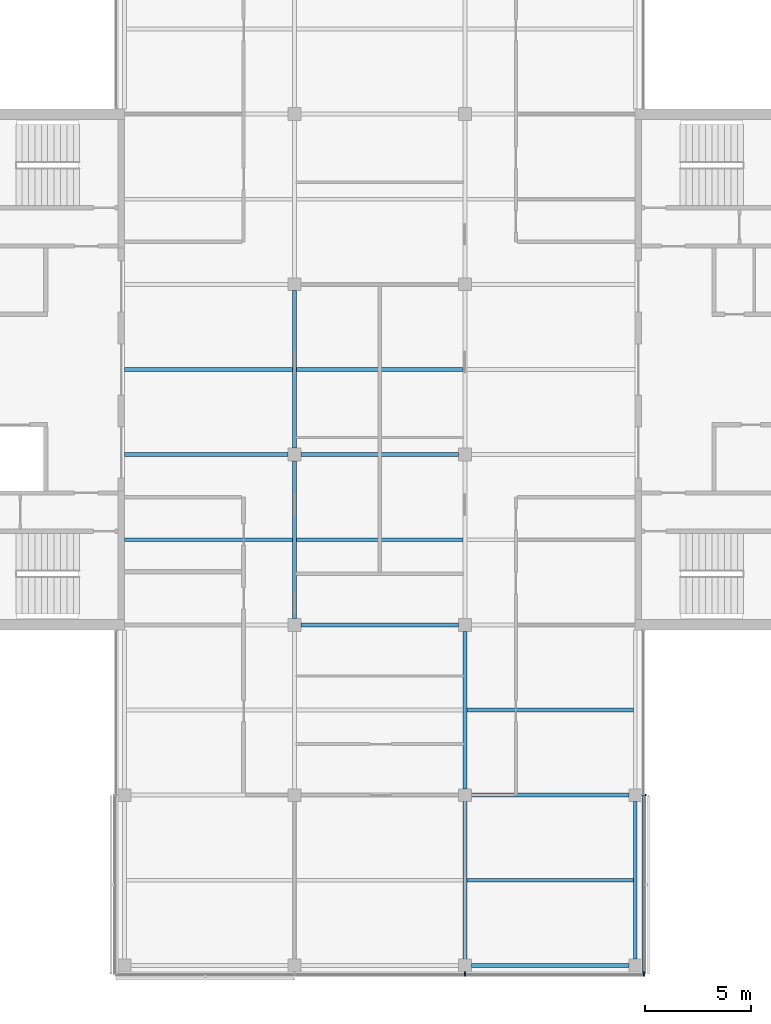
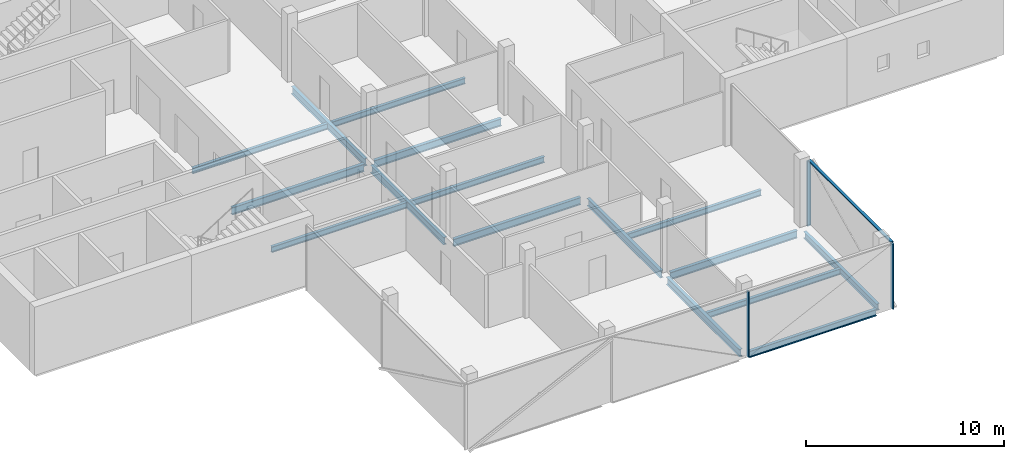
# One storey, part 3 of 16: 16 beams, 4 members, 2 elements without a shape of their own.
"""IFC4 building model written with IfcOpenShell, lengths in metres."""

from ifc_helpers import new_model, si_unit, direction, frame, origin, origin_2d, place, context, subcontext, project, spatial, rectangle, i_section, extrude, material, material_profile, profile_set, type_object, element, aggregate, save


model = new_model("IFC4")

# Units and contexts
model_context = context("Model", 3, precision=1e-05, world=origin(), true_north=direction((0.0, 1.0)))
body_context = subcontext(model_context, "Body", "Model", "MODEL_VIEW")
ifc_project = project(units=[si_unit("LENGTHUNIT", "METRE"), si_unit("AREAUNIT", "SQUARE_METRE"), si_unit("VOLUMEUNIT", "CUBIC_METRE"), si_unit("PLANEANGLEUNIT", "RADIAN"), si_unit("MASSUNIT", "GRAM", prefix="KILO")], contexts=[model_context])

# Site, building, storey
site_placement = place(None, origin())
site = spatial("IfcSite", under=ifc_project, at=site_placement, CompositionType="ELEMENT")
building_placement = place(site_placement, origin())
building = spatial("IfcBuilding", under=site, at=building_placement, Name="Crosswind Convention Tower", CompositionType="ELEMENT")
storey_placement = place(building_placement, frame((0.0, 0.0, 299.699951171875)))
storey = spatial("IfcBuildingStorey", under=building, at=storey_placement, Name="L65", CompositionType="ELEMENT", Elevation=299.699951171875)

# Beams
ifc_material_1 = material(Name="Steel S355", Category="steel")
ifc_material_profile_1 = material_profile(ifc_material_1, i_section(OverallWidth=0.177734375, OverallDepth=0.406494140625, WebThickness=0.0078125, FlangeThickness=0.0126953125, FilletRadius=0.01025390625, at=origin_2d()), Name="UB 406x178x60")
ifc_profile_set_1 = profile_set([ifc_material_profile_1], Name="Steel S355")
beam_type_1 = type_object("IfcBeamType", Name="Edge beam UB 406x178x60", PredefinedType="SPANDREL", material=ifc_profile_set_1)
for number, where, z_axis, x_axis, name in (
    (1, (129.300048828125, 72.0, -0.503173828125), (1.0, 0.0, 0.0), (0.0, 1.0, 0.0), "B15 L65 edge beam 9"),
    (2, (137.0, 72.300048828125, -0.503173828125), (0.0, 1.0, 0.0), (-1.0, 0.0, 0.0), "B15 L65 edge beam 11"),
):
    element("IfcBeam", number, at=place(storey_placement, frame(where, z_axis=z_axis, x_axis=x_axis)), inside=storey, type_object=beam_type_1, Name=name, PredefinedType="SPANDREL", context=body_context, shape_type="SweptSolid", body=[
        extrude(i_section(OverallWidth=0.177734375, OverallDepth=0.406494140625, WebThickness=0.0078125, FlangeThickness=0.0126953125, FilletRadius=0.01025390625, at=origin_2d()), origin(), (0.0, 0.0, 1.0), 7.39990234375),
    ])
ifc_material_profile_2 = material_profile(ifc_material_1, i_section(OverallWidth=0.18994140625, OverallDepth=0.45361328125, WebThickness=0.008544921875, FlangeThickness=0.0126953125, FilletRadius=0.01025390625, at=origin_2d()), Name="UB 457x191x67")
ifc_profile_set_2 = profile_set([ifc_material_profile_2], Name="Steel S355")
beam_type_2 = type_object("IfcBeamType", Name="Girder UB 457x191x67", PredefinedType="BEAM", material=ifc_profile_set_2)
for number, where, z_axis, x_axis, name in (
    (3, (121.0, 88.300048828125, -0.52685546875), (0.0, 1.0, 0.0), (-1.0, 0.0, 0.0), "B1 L65 girder 5"),
    (4, (121.0, 96.300048828125, -0.52685546875), (0.0, 1.0, 0.0), (-1.0, 0.0, 0.0), "B1 L65 girder 6"),
    (5, (121.300048828125, 88.0, -0.52685546875), (1.0, 0.0, 0.0), (0.0, 1.0, 0.0), "B1 L65 girder 11"),
    (6, (121.300048828125, 96.0, -0.52685546875), (1.0, 0.0, 0.0), (0.0, 1.0, 0.0), "B1 L65 girder 12"),
    (7, (129.0, 72.300048828125, -0.52685546875), (0.0, 1.0, 0.0), (-1.0, 0.0, 0.0), "B1 L65 girder 16"),
    (8, (129.0, 80.300048828125, -0.52685546875), (0.0, 1.0, 0.0), (-1.0, 0.0, 0.0), "B1 L65 girder 17"),
    (9, (129.300048828125, 80.0, -0.52685546875), (1.0, 0.0, 0.0), (0.0, 1.0, 0.0), "B1 L65 girder 23"),
):
    element("IfcBeam", number, at=place(storey_placement, frame(where, z_axis=z_axis, x_axis=x_axis)), inside=storey, type_object=beam_type_2, Name=name, PredefinedType="BEAM", context=body_context, shape_type="SweptSolid", body=[
        extrude(i_section(OverallWidth=0.18994140625, OverallDepth=0.45361328125, WebThickness=0.008544921875, FlangeThickness=0.0126953125, FilletRadius=0.01025390625, at=origin_2d()), origin(), (0.0, 0.0, 1.0), 7.39990234375),
    ])
ifc_material_profile_3 = material_profile(ifc_material_1, i_section(OverallWidth=0.1904296875, OverallDepth=0.457275390625, WebThickness=0.009033203125, FlangeThickness=0.014404296875, FilletRadius=0.01025390625, at=origin_2d()), Name="UB 457x191x75")
ifc_profile_set_3 = profile_set([ifc_material_profile_3], Name="Steel S355")
beam_type_3 = type_object("IfcBeamType", Name="Girder at core wall UB 457x191x75", PredefinedType="BEAM", material=ifc_profile_set_3)
beam_placement = place(storey_placement, frame((113.0, 96.0, -0.528564453125), z_axis=(1.0, 0.0, 0.0), x_axis=(0.0, 1.0, 0.0)))
element("IfcBeam", 10, at=beam_placement, inside=storey, type_object=beam_type_3, Name="B22 L65 girder at core wall 2", PredefinedType="BEAM", context=body_context, shape_type="SweptSolid", body=[
    extrude(i_section(OverallWidth=0.1904296875, OverallDepth=0.457275390625, WebThickness=0.009033203125, FlangeThickness=0.014404296875, FilletRadius=0.01025390625, at=origin_2d()), origin(), (0.0, 0.0, 1.0), 7.699951171875),
])

# Curtain wall, members
ifc_material_2 = material(Name="Aluminium unitised curtain wall", Category="aluminium")
curtain_wall_type = type_object("IfcCurtainWallType", Name="OFFICE UNITISED WALL 220", PredefinedType="USERDEFINED", material=ifc_material_2)
curtain_wall_1_placement = place(storey_placement, origin())
curtain_wall_1 = element("IfcCurtainWall", 11, at=curtain_wall_1_placement, inside=storey, type_object=curtain_wall_type, Name="CW3 L65 S-TIP 1", ObjectType="UNITISED", PredefinedType="USERDEFINED")
ifc_material_3 = material(Name="Aluminium mullion", Category="aluminium")
ifc_material_profile_4 = material_profile(ifc_material_3, rectangle(XDim=0.219970703125, YDim=0.070068359375, at=origin_2d()), Name="AL 220X70")
ifc_profile_set_4 = profile_set([ifc_material_profile_4], Name="Aluminium mullion")
member_type_1 = type_object("IfcMemberType", Name="MULLION 70X220", PredefinedType="MULLION", material=ifc_profile_set_4)
member_1_placement = place(storey_placement, frame((129.0, 71.590087890625, -0.300048828125), z_axis=(0.0, 0.0, 1.0), x_axis=(0.0, -1.0, 0.0)))
member_1 = element("IfcMember", 12, at=member_1_placement, type_object=member_type_1, Name="CW3 mullion 3", PredefinedType="MULLION", context=body_context, shape_type="SweptSolid", body=[
    extrude(rectangle(XDim=0.219970703125, YDim=0.070068359375, at=origin_2d()), origin(), (0.0, 0.0, 1.0), 4.030029296875),
])
member_2_placement = place(storey_placement, frame((137.409912109375, 71.590087890625, -0.300048828125), z_axis=(0.0, 0.0, 1.0), x_axis=(0.0, -1.0, 0.0)))
member_2 = element("IfcMember", 13, at=member_2_placement, type_object=member_type_1, Name="CW3 mullion 4", PredefinedType="MULLION", context=body_context, shape_type="SweptSolid", body=[
    extrude(rectangle(XDim=0.219970703125, YDim=0.070068359375, at=origin_2d()), origin(), (0.0, 0.0, 1.0), 4.030029296875),
])
aggregate(curtain_wall_1, [member_1, member_2])

# Curtain wall, member
curtain_wall_2_placement = place(storey_placement, origin())
curtain_wall_2 = element("IfcCurtainWall", 14, at=curtain_wall_2_placement, inside=storey, type_object=curtain_wall_type, Name="CW3 L65 S-E 1", ObjectType="UNITISED", PredefinedType="USERDEFINED")
member_3_placement = place(storey_placement, frame((137.409912109375, 80.0, -0.300048828125), z_axis=(0.0, 0.0, 1.0), x_axis=(1.0, 0.0, 0.0)))
member_3 = element("IfcMember", 15, at=member_3_placement, type_object=member_type_1, Name="CW3 mullion 2", PredefinedType="MULLION", context=body_context, shape_type="SweptSolid", body=[
    extrude(rectangle(XDim=0.219970703125, YDim=0.070068359375, at=origin_2d()), origin(), (0.0, 0.0, 1.0), 4.030029296875),
])

# Beams
ifc_material_profile_5 = material_profile(ifc_material_1, i_section(OverallWidth=0.17138671875, OverallDepth=0.355712890625, WebThickness=0.00732421875, FlangeThickness=0.011474609375, FilletRadius=0.01025390625, at=origin_2d()), Name="UB 356x171x51")
ifc_profile_set_5 = profile_set([ifc_material_profile_5], Name="Steel S355")
beam_type_4 = type_object("IfcBeamType", Name="Secondary beam UB 356x171x51", PredefinedType="JOIST", material=ifc_profile_set_5)
for number, where, z_axis, x_axis, name in (
    (16, (113.0, 92.0, -0.477783203125), (1.0, 0.0, 0.0), (0.0, 1.0, 0.0), "B8 L65 secondary beam 1"),
    (17, (113.0, 100.0, -0.477783203125), (1.0, 0.0, 0.0), (0.0, 1.0, 0.0), "B8 L65 secondary beam 2"),
):
    element("IfcBeam", number, at=place(storey_placement, frame(where, z_axis=z_axis, x_axis=x_axis)), inside=storey, type_object=beam_type_4, Name=name, PredefinedType="JOIST", context=body_context, shape_type="SweptSolid", body=[
        extrude(i_section(OverallWidth=0.17138671875, OverallDepth=0.355712890625, WebThickness=0.00732421875, FlangeThickness=0.011474609375, FilletRadius=0.01025390625, at=origin_2d()), origin(), (0.0, 0.0, 1.0), 7.905029296875),
    ])
for number, where, z_axis, x_axis, name in (
    (18, (121.094970703125, 92.0, -0.477783203125), (1.0, 0.0, 0.0), (0.0, 1.0, 0.0), "B8 L65 secondary beam 10"),
    (19, (121.094970703125, 100.0, -0.477783203125), (1.0, 0.0, 0.0), (0.0, 1.0, 0.0), "B8 L65 secondary beam 11"),
):
    element("IfcBeam", number, at=place(storey_placement, frame(where, z_axis=z_axis, x_axis=x_axis)), inside=storey, type_object=beam_type_4, Name=name, PredefinedType="JOIST", context=body_context, shape_type="SweptSolid", body=[
        extrude(i_section(OverallWidth=0.17138671875, OverallDepth=0.355712890625, WebThickness=0.00732421875, FlangeThickness=0.011474609375, FilletRadius=0.01025390625, at=origin_2d()), origin(), (0.0, 0.0, 1.0), 7.81005859375),
    ])
for number, where, z_axis, x_axis, name in (
    (20, (129.094970703125, 76.0, -0.477783203125), (1.0, 0.0, 0.0), (0.0, 1.0, 0.0), "B8 L65 secondary beam 15"),
    (21, (129.094970703125, 84.0, -0.477783203125), (1.0, 0.0, 0.0), (0.0, 1.0, 0.0), "B8 L65 secondary beam 16"),
):
    element("IfcBeam", number, at=place(storey_placement, frame(where, z_axis=z_axis, x_axis=x_axis)), inside=storey, type_object=beam_type_4, Name=name, PredefinedType="JOIST", context=body_context, shape_type="SweptSolid", body=[
        extrude(i_section(OverallWidth=0.17138671875, OverallDepth=0.355712890625, WebThickness=0.00732421875, FlangeThickness=0.011474609375, FilletRadius=0.01025390625, at=origin_2d()), origin(), (0.0, 0.0, 1.0), 7.816162109375),
    ])

# Member
ifc_material_4 = material(Name="Aluminium transom", Category="aluminium")
ifc_material_profile_6 = material_profile(ifc_material_4, rectangle(XDim=0.159912109375, YDim=0.070068359375, at=origin_2d()), Name="AL 160X70")
ifc_profile_set_6 = profile_set([ifc_material_profile_6], Name="Aluminium transom")
member_type_2 = type_object("IfcMemberType", Name="TRANSOM 70X160", PredefinedType="USERDEFINED", material=ifc_profile_set_6)
member_4_placement = place(storey_placement, frame((137.409912109375, 71.625, 3.76513671875), z_axis=(0.0, 1.0, 0.0), x_axis=(-1.0, 0.0, 0.0)))
member_4 = element("IfcMember", 22, at=member_4_placement, type_object=member_type_2, Name="CW3 transom", ObjectType="TRANSOM", PredefinedType="USERDEFINED", context=body_context, shape_type="SweptSolid", body=[
    extrude(rectangle(XDim=0.159912109375, YDim=0.070068359375, at=origin_2d()), origin(), (0.0, 0.0, 1.0), 8.340087890625),
])

aggregate(curtain_wall_2, [member_3, member_4])

save(model, "model.ifc")
